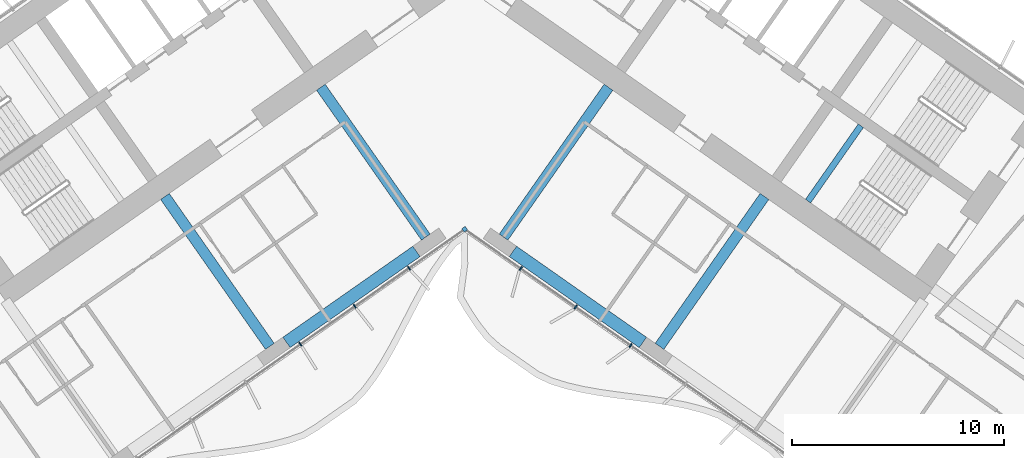
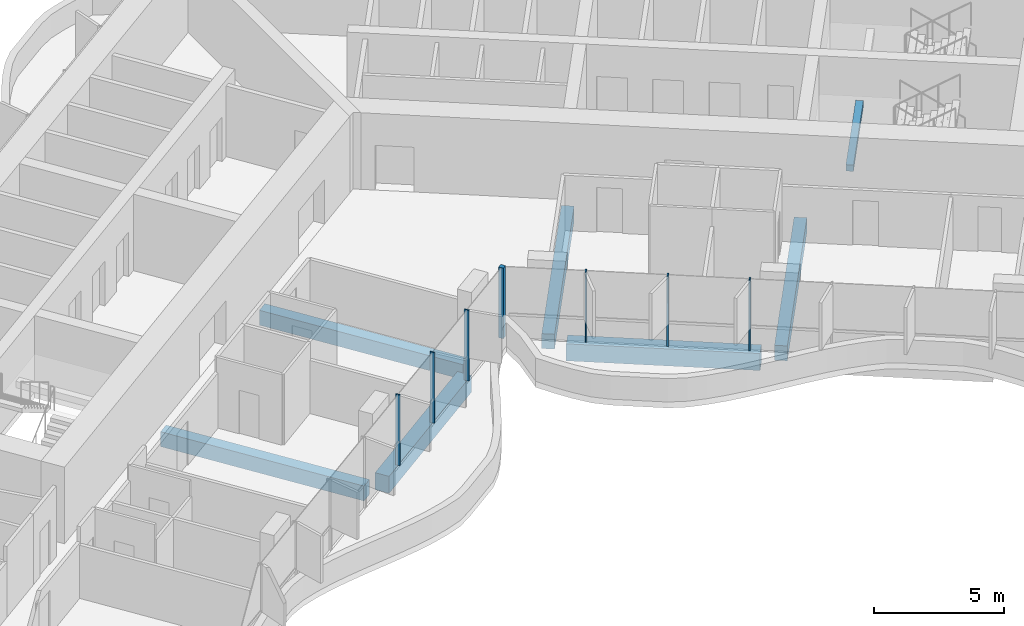
# One storey, part 6 of 23: 7 beams, 7 members, 1 element without a shape of its own.
"""IFC4 building model written with IfcOpenShell, lengths in metres."""

from ifc_helpers import new_model, si_unit, direction, frame, origin, origin_2d, place, context, subcontext, project, spatial, rectangle, extrude, material, material_profile, profile_set, type_object, element, aggregate, save


model = new_model("IFC4")

# Units and contexts
model_context = context("Model", 3, precision=1e-05, world=origin(), true_north=direction((0.0, 1.0)))
body_context = subcontext(model_context, "Body", "Model", "MODEL_VIEW")
ifc_project = project(units=[si_unit("LENGTHUNIT", "METRE"), si_unit("AREAUNIT", "SQUARE_METRE"), si_unit("VOLUMEUNIT", "CUBIC_METRE"), si_unit("PLANEANGLEUNIT", "RADIAN"), si_unit("MASSUNIT", "GRAM", prefix="KILO")], contexts=[model_context])

# Site, building, storey
site_placement = place(None, origin())
site = spatial("IfcSite", under=ifc_project, at=site_placement, CompositionType="ELEMENT")
building_placement = place(site_placement, origin())
building = spatial("IfcBuilding", under=site, at=building_placement, Name="Tel Ilan Convention Tower", CompositionType="ELEMENT")
storey_placement = place(building_placement, frame((0.0, 0.0, 79.699951171875)))
storey = spatial("IfcBuildingStorey", under=building, at=storey_placement, Name="L15", CompositionType="ELEMENT", Elevation=79.699951171875)

# Beams
ifc_material_1 = material(Name="Concrete C40/50", Category="concrete")
ifc_material_profile_1 = material_profile(ifc_material_1, rectangle(XDim=0.5, YDim=0.699951171875, at=origin_2d()), Name="RC 500x700")
ifc_profile_set_1 = profile_set([ifc_material_profile_1], Name="Concrete C40/50")
beam_type_1 = type_object("IfcBeamType", Name="Beam RC 500x700 Concrete C40/50", PredefinedType="BEAM", material=ifc_profile_set_1)
for number, where, z_axis, x_axis, name in (
    (1, (-1.83740234375, -13.06689453125, -0.6298828125), (-0.573574099654, 0.819153680457, 0.0), (-0.819153680457, -0.573574099654, 0.0), "L15 beam W-W-F1-core"),
    (2, (-9.209716796875, -18.229248046875, -0.6298828125), (-0.573574099654, 0.819153680457, 0.0), (-0.819153680457, -0.573574099654, 0.0), "L15 beam W-W-F2-core"),
    (3, (1.83740234375, -13.06689453125, -0.6298828125), (0.573574099654, 0.819153680457, 0.0), (-0.819153680457, 0.573574099654, 0.0), "L15 beam E-E-F1-core"),
    (4, (9.209716796875, -18.229248046875, -0.6298828125), (0.573574099654, 0.819153680457, 0.0), (-0.819153680457, 0.573574099654, 0.0), "L15 beam E-E-F2-core"),
):
    element("IfcBeam", number, at=place(storey_placement, frame(where, z_axis=z_axis, x_axis=x_axis)), inside=storey, type_object=beam_type_1, Name=name, PredefinedType="BEAM", context=body_context, shape_type="SweptSolid", body=[
        extrude(rectangle(XDim=0.5, YDim=0.699951171875, at=origin_2d()), origin(), (0.0, 0.0, 1.0), 8.64990234375),
    ])
ifc_material_2 = material(Name="Concrete C40/50", Category="concrete")
ifc_material_profile_2 = material_profile(ifc_material_2, rectangle(XDim=0.60009765625, YDim=0.800048828125, at=origin_2d()), Name="RC 600x800")
ifc_profile_set_2 = profile_set([ifc_material_profile_2], Name="Concrete C40/50")
beam_type_2 = type_object("IfcBeamType", Name="Beam RC 600x800 Concrete C40/50", PredefinedType="BEAM", material=ifc_profile_set_2)
for number, where, z_axis, x_axis, name in (
    (5, (-2.279541015625, -13.742919921875, -0.679931640625), (-0.819147803225, -0.57358249317, 0.0), (0.57358249317, -0.819147803225, 0.0), "L15 beam W-W-F1-W-F2"),
    (6, (2.279541015625, -13.742919921875, -0.679931640625), (0.819147803225, -0.57358249317, 0.0), (0.57358249317, 0.819147803225, 0.0), "L15 beam E-E-F1-E-F2"),
):
    element("IfcBeam", number, at=place(storey_placement, frame(where, z_axis=z_axis, x_axis=x_axis)), inside=storey, type_object=beam_type_2, Name=name, PredefinedType="BEAM", context=body_context, shape_type="SweptSolid", body=[
        extrude(rectangle(XDim=0.60009765625, YDim=0.800048828125, at=origin_2d()), origin(), (0.0, 0.0, 1.0), 7.500244140625),
    ])

# Curtain wall, members
ifc_material_3 = material(Name="Aluminium, bronze anodised", Category="aluminium")
curtain_wall_type = type_object("IfcCurtainWallType", Name="CW1 UNITISED CURTAIN WALL, HOTEL TINTED GLASS", PredefinedType="NOTDEFINED", material=ifc_material_3)
curtain_wall_placement = place(storey_placement, origin())
curtain_wall = element("IfcCurtainWall", 7, at=curtain_wall_placement, inside=storey, type_object=curtain_wall_type, Name="Curtain wall CW1-15.02", PredefinedType="NOTDEFINED")
ifc_material_4 = material(Name="Aluminium, bronze anodised", Category="aluminium")
ifc_material_profile_3 = material_profile(ifc_material_4, rectangle(XDim=0.199951171875, YDim=0.199951171875, at=origin_2d()), Name="CW CORNER MULLION 200x200")
ifc_profile_set_3 = profile_set([ifc_material_profile_3], Name="Aluminium, bronze anodised")
member_type_1 = type_object("IfcMemberType", Name="CW CORNER MULLION 200x200", PredefinedType="MULLION", material=ifc_profile_set_3)
member_1_placement = place(storey_placement, frame((0.0, -12.696044921875, 0.0), z_axis=(0.0, 0.0, 1.0), x_axis=(0.819152044289, 0.573576436351, 0.0)))
member_1 = element("IfcMember", 8, at=member_1_placement, type_object=member_type_1, Name="Corner mullion", PredefinedType="MULLION", context=body_context, shape_type="SweptSolid", body=[
    extrude(rectangle(XDim=0.199951171875, YDim=0.199951171875, at=origin_2d()), origin(), (0.0, 0.0, 1.0), 3.320068359375),
])
ifc_material_5 = material(Name="Aluminium, bronze anodised", Category="aluminium")
ifc_material_profile_4 = material_profile(ifc_material_5, rectangle(XDim=0.06005859375, YDim=0.199951171875, at=origin_2d()), Name="CW MULLION 60x200")
ifc_profile_set_4 = profile_set([ifc_material_profile_4], Name="Aluminium, bronze anodised")
member_type_2 = type_object("IfcMemberType", Name="CW MULLION 60x200", PredefinedType="MULLION", material=ifc_profile_set_4)
member_2_placement = place(storey_placement, frame((-7.76708984375, -18.134765625, 0.0), z_axis=(0.0, 0.0, 1.0), x_axis=(0.819152044289, 0.573576436351, 0.0)))
member_2 = element("IfcMember", 9, at=member_2_placement, type_object=member_type_2, Name="Mullion", PredefinedType="MULLION", context=body_context, shape_type="SweptSolid", body=[
    extrude(rectangle(XDim=0.06005859375, YDim=0.199951171875, at=origin_2d()), origin(), (0.0, 0.0, 1.0), 3.320068359375),
])
member_3_placement = place(storey_placement, frame((-5.197265625, -16.335205078125, 0.0), z_axis=(0.0, 0.0, 1.0), x_axis=(0.819152044289, 0.573576436351, 0.0)))
member_3 = element("IfcMember", 10, at=member_3_placement, type_object=member_type_2, Name="Mullion", PredefinedType="MULLION", context=body_context, shape_type="SweptSolid", body=[
    extrude(rectangle(XDim=0.06005859375, YDim=0.199951171875, at=origin_2d()), origin(), (0.0, 0.0, 1.0), 3.320068359375),
])
member_4_placement = place(storey_placement, frame((-2.627197265625, -14.53564453125, 0.0), z_axis=(0.0, 0.0, 1.0), x_axis=(0.819152044289, 0.573576436351, 0.0)))
member_4 = element("IfcMember", 11, at=member_4_placement, type_object=member_type_2, Name="Mullion", PredefinedType="MULLION", context=body_context, shape_type="SweptSolid", body=[
    extrude(rectangle(XDim=0.06005859375, YDim=0.199951171875, at=origin_2d()), origin(), (0.0, 0.0, 1.0), 3.320068359375),
])
member_5_placement = place(storey_placement, frame((2.65234375, -14.55322265625, 0.0), z_axis=(0.0, 0.0, 1.0), x_axis=(0.819152044289, -0.573576436351, 0.0)))
member_5 = element("IfcMember", 12, at=member_5_placement, type_object=member_type_2, Name="Mullion", PredefinedType="MULLION", context=body_context, shape_type="SweptSolid", body=[
    extrude(rectangle(XDim=0.06005859375, YDim=0.199951171875, at=origin_2d()), origin(), (0.0, 0.0, 1.0), 3.320068359375),
])
member_6_placement = place(storey_placement, frame((5.24755859375, -16.370361328125, 0.0), z_axis=(0.0, 0.0, 1.0), x_axis=(0.819152044289, -0.573576436351, 0.0)))
member_6 = element("IfcMember", 13, at=member_6_placement, type_object=member_type_2, Name="Mullion", PredefinedType="MULLION", context=body_context, shape_type="SweptSolid", body=[
    extrude(rectangle(XDim=0.06005859375, YDim=0.199951171875, at=origin_2d()), origin(), (0.0, 0.0, 1.0), 3.320068359375),
])
member_7_placement = place(storey_placement, frame((7.842529296875, -18.1875, 0.0), z_axis=(0.0, 0.0, 1.0), x_axis=(0.819152044289, -0.573576436351, 0.0)))
member_7 = element("IfcMember", 14, at=member_7_placement, type_object=member_type_2, Name="Mullion", PredefinedType="MULLION", context=body_context, shape_type="SweptSolid", body=[
    extrude(rectangle(XDim=0.06005859375, YDim=0.199951171875, at=origin_2d()), origin(), (0.0, 0.0, 1.0), 3.320068359375),
])
aggregate(curtain_wall, [member_2, member_3, member_4, member_1, member_5, member_6, member_7])

# Beam
ifc_material_6 = material(Name="Concrete C40/50", Category="concrete")
ifc_material_profile_5 = material_profile(ifc_material_6, rectangle(XDim=0.300048828125, YDim=0.300048828125, at=origin_2d()), Name="RC 300x300")
ifc_profile_set_5 = profile_set([ifc_material_profile_5], Name="Concrete C40/50")
beam_type_3 = type_object("IfcBeamType", Name="Landing Beam RC 300x300 Concrete C40/50", PredefinedType="BEAM", material=ifc_profile_set_5)
beam_placement = place(storey_placement, frame((18.726806640625, -7.80224609375, 1.449951171875), z_axis=(-0.573594173421, -0.819139624372, 0.0), x_axis=(0.819139624372, -0.573594173421, 0.0)))
element("IfcBeam", 15, at=beam_placement, inside=storey, type_object=beam_type_3, Name="S4 landing beam L15.1", PredefinedType="BEAM", context=body_context, shape_type="SweptSolid", body=[
    extrude(rectangle(XDim=0.300048828125, YDim=0.300048828125, at=origin_2d()), origin(), (0.0, 0.0, 1.0), 4.349853515625),
])

save(model, "model.ifc")
